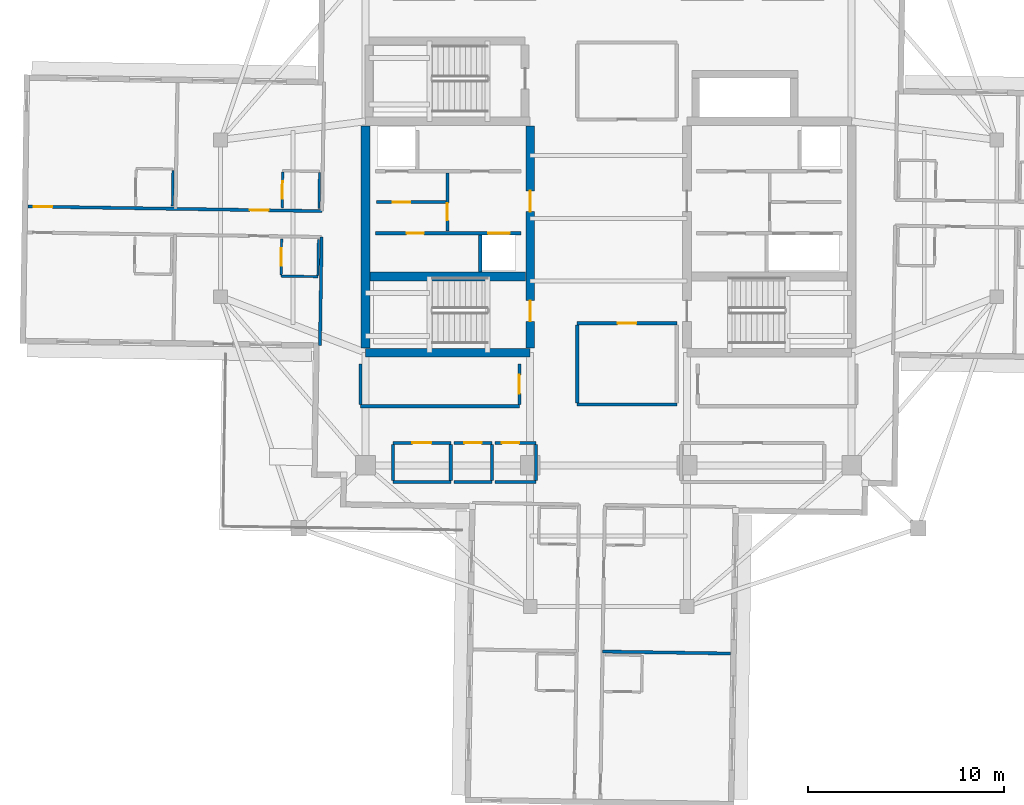
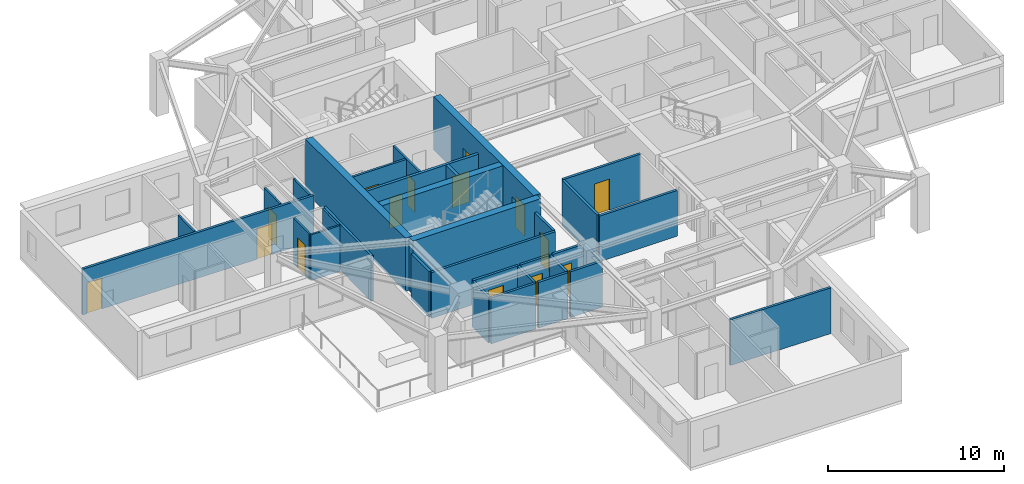
# One storey, part 4 of 12: 33 walls, 15 doors, 15 openings.
"""IFC4 building model written with IfcOpenShell, lengths in metres."""

from ifc_helpers import new_model, si_unit, direction, frame, frame_2d, origin, place, context, subcontext, project, spatial, rectangle, extrude, material, layer, layer_set, type_object, element, fill, save


model = new_model("IFC4")

# Units and contexts
model_context = context("Model", 3, precision=1e-05, world=origin(), true_north=direction((0.0, 1.0)))
body_context = subcontext(model_context, "Body", "Model", "MODEL_VIEW")
ifc_project = project(units=[si_unit("LENGTHUNIT", "METRE"), si_unit("AREAUNIT", "SQUARE_METRE"), si_unit("VOLUMEUNIT", "CUBIC_METRE"), si_unit("PLANEANGLEUNIT", "RADIAN"), si_unit("MASSUNIT", "GRAM", prefix="KILO")], contexts=[model_context])

# Site, building, storey
site_placement = place(None, origin())
site = spatial("IfcSite", under=ifc_project, at=site_placement, CompositionType="ELEMENT")
building_placement = place(site_placement, origin())
building = spatial("IfcBuilding", under=site, at=building_placement, Name="Qingluan Cross Belvedere", CompositionType="ELEMENT")
storey_placement = place(building_placement, frame((0.0, 0.0, 261.60009765625)))
storey = spatial("IfcBuildingStorey", under=building, at=storey_placement, Name="L65", CompositionType="ELEMENT", Elevation=261.60009765625)

# Walls
ifc_material_1 = material(Name="Concrete C50", Category="concrete")
ifc_layer_1 = layer(ifc_material_1, 0.449951171875, Name="CoreShearWall_450")
ifc_layer_set_1 = layer_set([ifc_layer_1], Name="Concrete C50")
wall_type_1 = type_object("IfcWallType", Name="CoreShearWall_450", PredefinedType="SHEAR", material=ifc_layer_set_1)
wall_1_placement = place(storey_placement, frame((-12.39990234375, -6.85009765625, 0.0), z_axis=(0.0, 0.0, 1.0), x_axis=(1.0, 0.0, 0.0)))
element("IfcWall", 1, at=wall_1_placement, inside=storey, type_object=wall_type_1, Name="Split core W shear wall L65-S", PredefinedType="SHEAR", context=body_context, shape_type="SweptSolid", body=[
    extrude(rectangle(XDim=8.39990234375, YDim=0.449951171875, at=frame_2d((4.199951171875, 0.0))), origin(), (0.0, 0.0, 1.0), 3.699951171875),
])
wall_2_placement = place(storey_placement, frame((-12.39990234375, -6.6201171875, 0.0), z_axis=(0.0, 0.0, 1.0), x_axis=(0.0, 1.0, 0.0)))
element("IfcWall", 2, at=wall_2_placement, inside=storey, type_object=wall_type_1, Name="Split core W shear wall L65-W", PredefinedType="SHEAR", context=body_context, shape_type="SweptSolid", body=[
    extrude(rectangle(XDim=11.340087890625, YDim=0.449951171875, at=frame_2d((5.669921875, 0.0))), origin(), (0.0, 0.0, 1.0), 3.699951171875),
])

# Wall, openings, doors
wall_3_placement = place(storey_placement, frame((-4.0, -6.6201171875, 0.0), z_axis=(0.0, 0.0, 1.0), x_axis=(0.0, 1.0, 0.0)))
wall_3 = element("IfcWall", 3, at=wall_3_placement, inside=storey, type_object=wall_type_1, Name="Split core W shear wall L65-E", PredefinedType="SHEAR", context=body_context, shape_type="SweptSolid", body=[
    extrude(rectangle(XDim=11.340087890625, YDim=0.449951171875, at=frame_2d((5.669921875, 0.0))), origin(), (0.0, 0.0, 1.0), 3.699951171875),
])
opening_1_placement = place(wall_3_placement, frame((1.3701171875, 0.0, 0.0)))
opening_1 = element("IfcOpeningElement", 4, at=opening_1_placement, cuts=wall_3, Name="Opening FD-B11", PredefinedType="OPENING", context=body_context, shape_type="SweptSolid", body=[
    extrude(rectangle(XDim=1.050048828125, YDim=2.14990234375, at=frame_2d((0.52490234375, 1.074951171875))), frame((0.0, 0.23486328125, 0.0), z_axis=(0.0, -1.0, 0.0), x_axis=(1.0, 0.0, 0.0)), (0.0, 0.0, 1.0), 0.469970703125),
])
opening_2_placement = place(wall_3_placement, frame((6.969970703125, 0.0, 0.0)))
opening_2 = element("IfcOpeningElement", 5, at=opening_2_placement, cuts=wall_3, Name="Opening FD-B11", PredefinedType="OPENING", context=body_context, shape_type="SweptSolid", body=[
    extrude(rectangle(XDim=1.050048828125, YDim=2.14990234375, at=frame_2d((0.52490234375, 1.074951171875))), frame((0.0, 0.23486328125, 0.0), z_axis=(0.0, -1.0, 0.0), x_axis=(1.0, 0.0, 0.0)), (0.0, 0.0, 1.0), 0.469970703125),
])
ifc_material_2 = material(Name="Steel Class B smoke-seal fire door", Category="steel")
door_type_1 = type_object("IfcDoorType", Name="StairLobbyFireDoor_FDB", OperationType="NOTDEFINED", PredefinedType="DOOR", material=ifc_material_2)
door_1_placement = place(opening_1_placement, origin())
door_1 = element("IfcDoor", 6, at=door_1_placement, inside=storey, type_object=door_type_1, Name="Smoke-proof stair ST1 fire door L65", OperationType="SINGLE_SWING_LEFT", OverallHeight=2.14990234375, OverallWidth=1.050048828125, PredefinedType="DOOR", context=body_context, shape_type="SweptSolid", body=[
    extrude(rectangle(XDim=1.050048828125, YDim=2.14990234375, at=frame_2d((0.52490234375, 1.074951171875))), frame((0.0, 0.02490234375, 0.0), z_axis=(0.0, -1.0, 0.0), x_axis=(1.0, 0.0, 0.0)), (0.0, 0.0, 1.0), 0.050048828125),
])
fill(opening_1, door_1)
door_2_placement = place(opening_2_placement, origin())
door_2 = element("IfcDoor", 7, at=door_2_placement, inside=storey, type_object=door_type_1, Name="Firefighting lobby West fire door L65", OperationType="SINGLE_SWING_LEFT", OverallHeight=2.14990234375, OverallWidth=1.050048828125, PredefinedType="DOOR", context=body_context, shape_type="SweptSolid", body=[
    extrude(rectangle(XDim=1.050048828125, YDim=2.14990234375, at=frame_2d((0.52490234375, 1.074951171875))), frame((0.0, 0.02490234375, 0.0), z_axis=(0.0, -1.0, 0.0), x_axis=(1.0, 0.0, 0.0)), (0.0, 0.0, 1.0), 0.050048828125),
])
fill(opening_2, door_2)

# Wall
wall_4_placement = place(storey_placement, frame((-12.169921875, -2.9599609375, 0.0), z_axis=(0.0, 0.0, 1.0), x_axis=(1.0, 0.0, 0.0)))
element("IfcWall", 8, at=wall_4_placement, inside=storey, type_object=wall_type_1, Name="Split core W shear wall L65-M", PredefinedType="SHEAR", context=body_context, shape_type="SweptSolid", body=[
    extrude(rectangle(XDim=7.93994140625, YDim=0.449951171875, at=frame_2d((3.969970703125, 0.0))), origin(), (0.0, 0.0, 1.0), 3.699951171875),
])

# Wall, opening, door
ifc_material_3 = material(Name="Gypsum plasterboard on steel stud acoustic partition", Category="steel")
ifc_layer_2 = layer(ifc_material_3, 0.159912109375, Name="CorridorPartition_160")
ifc_layer_set_2 = layer_set([ifc_layer_2], Name="Gypsum plasterboard on steel stud acoustic partition")
wall_type_2 = type_object("IfcWallType", Name="CorridorPartition_160", PredefinedType="PARTITIONING", material=ifc_layer_set_2)
wall_5_placement = place(storey_placement, frame((-11.85009765625, 0.830078125, 0.0), z_axis=(0.0, 0.0, 1.0), x_axis=(1.0, 0.0, 0.0)))
wall_5 = element("IfcWall", 9, at=wall_5_placement, inside=storey, type_object=wall_type_2, Name="Partition L65:w", PredefinedType="PARTITIONING", context=body_context, shape_type="SweptSolid", body=[
    extrude(rectangle(XDim=3.552001953125, YDim=0.139892578125, at=frame_2d((1.77587890625, 0.0))), origin(), (0.0, 0.0, 1.0), 3.169921875),
])
opening_3_placement = place(wall_5_placement, frame((0.85009765625, 0.0, 0.0)))
opening_3 = element("IfcOpeningElement", 10, at=opening_3_placement, cuts=wall_5, Name="Opening FD-B10", PredefinedType="OPENING", context=body_context, shape_type="SweptSolid", body=[
    extrude(rectangle(XDim=0.8798828125, YDim=2.10009765625, at=frame_2d((0.43994140625, 1.050048828125))), frame((0.0, 0.079833984375, 0.0), z_axis=(0.0, -1.0, 0.0), x_axis=(1.0, 0.0, 0.0)), (0.0, 0.0, 1.0), 0.159912109375),
])
ifc_material_4 = material(Name="Steel Class B service fire door", Category="steel")
door_type_2 = type_object("IfcDoorType", Name="RiserServiceFireDoor_FDB", OperationType="NOTDEFINED", PredefinedType="DOOR", material=ifc_material_4)
door_3_placement = place(opening_3_placement, origin())
door_3 = element("IfcDoor", 11, at=door_3_placement, inside=storey, type_object=door_type_2, Name="Service closet inner door L65", OperationType="SINGLE_SWING_RIGHT", OverallHeight=2.10009765625, OverallWidth=0.8798828125, PredefinedType="DOOR", context=body_context, shape_type="SweptSolid", body=[
    extrude(rectangle(XDim=0.8798828125, YDim=2.10009765625, at=frame_2d((0.43994140625, 1.050048828125))), frame((0.0, 0.02490234375, 0.0), z_axis=(0.0, -1.0, 0.0), x_axis=(1.0, 0.0, 0.0)), (0.0, 0.0, 1.0), 0.050048828125),
])
fill(opening_3, door_3)

# Wall
wall_6_placement = place(storey_placement, frame((-11.0, -13.449951171875, 0.0), z_axis=(0.0, 0.0, 1.0), x_axis=(1.0, 0.0, 0.0)))
element("IfcWall", 12, at=wall_6_placement, inside=storey, type_object=wall_type_2, Name="Partition L65:q_sw_occ:S", PredefinedType="PARTITIONING", context=body_context, shape_type="SweptSolid", body=[
    extrude(rectangle(XDim=2.949951171875, YDim=0.159912109375, at=frame_2d((1.47509765625, 0.0))), origin(), (0.0, 0.0, 1.0), 3.169921875),
])

# Wall, opening, door
wall_7_placement = place(storey_placement, frame((-11.0, -11.449951171875, 0.0), z_axis=(0.0, 0.0, 1.0), x_axis=(1.0, 0.0, 0.0)))
wall_7 = element("IfcWall", 13, at=wall_7_placement, inside=storey, type_object=wall_type_2, Name="Partition L65:q_sw_occ:N", PredefinedType="PARTITIONING", context=body_context, shape_type="SweptSolid", body=[
    extrude(rectangle(XDim=2.949951171875, YDim=0.159912109375, at=frame_2d((1.47509765625, 0.0))), origin(), (0.0, 0.0, 1.0), 3.169921875),
])
opening_4_placement = place(wall_7_placement, frame((0.9951171875, 0.0, 0.0)))
opening_4 = element("IfcOpeningElement", 14, at=opening_4_placement, cuts=wall_7, Name="Opening GD-10", PredefinedType="OPENING", context=body_context, shape_type="SweptSolid", body=[
    extrude(rectangle(XDim=0.9599609375, YDim=2.14990234375, at=frame_2d((0.47998046875, 1.074951171875))), frame((0.0, 0.08984375, 0.0), z_axis=(0.0, -1.0, 0.0), x_axis=(1.0, 0.0, 0.0)), (0.0, 0.0, 1.0), 0.179931640625),
])
ifc_material_5 = material(Name="Timber oak fire-rated acoustic guestroom door", Category="wood")
door_type_3 = type_object("IfcDoorType", Name="GuestEntryDoor_FD60", OperationType="NOTDEFINED", PredefinedType="DOOR", material=ifc_material_5)
door_4_placement = place(opening_4_placement, origin())
door_4 = element("IfcDoor", 15, at=door_4_placement, inside=storey, type_object=door_type_3, Name="Wellness recovery room L65 door", OperationType="SINGLE_SWING_LEFT", OverallHeight=2.14990234375, OverallWidth=0.9599609375, PredefinedType="DOOR", context=body_context, shape_type="SweptSolid", body=[
    extrude(rectangle(XDim=0.9599609375, YDim=2.14990234375, at=frame_2d((0.47998046875, 1.074951171875))), frame((0.0, 0.02490234375, 0.0), z_axis=(0.0, -1.0, 0.0), x_axis=(1.0, 0.0, 0.0)), (0.0, 0.0, 1.0), 0.050048828125),
])
fill(opening_4, door_4)

# Walls
for number, where, z_axis, x_axis, name in (
    (16, (-11.0, -13.364990234375, 0.0), (0.0, 0.0, 1.0), (0.0, 1.0, 0.0), "Partition L65:q_sw_occ:W"),
    (17, (-8.050048828125, -13.364990234375, 0.0), (0.0, 0.0, 1.0), (0.0, 1.0, 0.0), "Partition L65:q_sw_occ:E"),
):
    element("IfcWall", number, at=place(storey_placement, frame(where, z_axis=z_axis, x_axis=x_axis)), inside=storey, type_object=wall_type_2, Name=name, PredefinedType="PARTITIONING", context=body_context, shape_type="SweptSolid", body=[
        extrude(rectangle(XDim=1.830078125, YDim=0.159912109375, at=frame_2d((0.9150390625, 0.0))), origin(), (0.0, 0.0, 1.0), 3.169921875),
    ])
wall_8_placement = place(storey_placement, frame((-7.889892578125, -13.449951171875, 0.0), z_axis=(0.0, 0.0, 1.0), x_axis=(1.0, 0.0, 0.0)))
element("IfcWall", 18, at=wall_8_placement, inside=storey, type_object=wall_type_2, Name="Partition L65:hk_linen:S", PredefinedType="PARTITIONING", context=body_context, shape_type="SweptSolid", body=[
    extrude(rectangle(XDim=1.93994140625, YDim=0.159912109375, at=frame_2d((0.969970703125, 0.0))), origin(), (0.0, 0.0, 1.0), 3.169921875),
])

# Wall, opening, door
wall_9_placement = place(storey_placement, frame((-7.889892578125, -11.449951171875, 0.0), z_axis=(0.0, 0.0, 1.0), x_axis=(1.0, 0.0, 0.0)))
wall_9 = element("IfcWall", 19, at=wall_9_placement, inside=storey, type_object=wall_type_2, Name="Partition L65:hk_linen:N", PredefinedType="PARTITIONING", context=body_context, shape_type="SweptSolid", body=[
    extrude(rectangle(XDim=1.93994140625, YDim=0.159912109375, at=frame_2d((0.969970703125, 0.0))), origin(), (0.0, 0.0, 1.0), 3.169921875),
])
opening_5_placement = place(wall_9_placement, frame((0.530029296875, 0.0, 0.0)))
opening_5 = element("IfcOpeningElement", 20, at=opening_5_placement, cuts=wall_9, Name="Opening FD-B10", PredefinedType="OPENING", context=body_context, shape_type="SweptSolid", body=[
    extrude(rectangle(XDim=0.8798828125, YDim=2.10009765625, at=frame_2d((0.43994140625, 1.050048828125))), frame((0.0, 0.08984375, 0.0), z_axis=(0.0, -1.0, 0.0), x_axis=(1.0, 0.0, 0.0)), (0.0, 0.0, 1.0), 0.179931640625),
])
door_5_placement = place(opening_5_placement, origin())
door_5 = element("IfcDoor", 21, at=door_5_placement, inside=storey, type_object=door_type_2, Name="Housekeeping and linen store L65 door", OperationType="SINGLE_SWING_RIGHT", OverallHeight=2.10009765625, OverallWidth=0.8798828125, PredefinedType="DOOR", context=body_context, shape_type="SweptSolid", body=[
    extrude(rectangle(XDim=0.8798828125, YDim=2.10009765625, at=frame_2d((0.43994140625, 1.050048828125))), frame((0.0, 0.02490234375, 0.0), z_axis=(0.0, -1.0, 0.0), x_axis=(1.0, 0.0, 0.0)), (0.0, 0.0, 1.0), 0.050048828125),
])
fill(opening_5, door_5)

# Walls
wall_10_placement = place(storey_placement, frame((-5.949951171875, -13.364990234375, 0.0), z_axis=(0.0, 0.0, 1.0), x_axis=(0.0, 1.0, 0.0)))
element("IfcWall", 22, at=wall_10_placement, inside=storey, type_object=wall_type_2, Name="Partition L65:hk_linen:E", PredefinedType="PARTITIONING", context=body_context, shape_type="SweptSolid", body=[
    extrude(rectangle(XDim=1.830078125, YDim=0.159912109375, at=frame_2d((0.9150390625, 0.0))), origin(), (0.0, 0.0, 1.0), 3.169921875),
])
wall_11_placement = place(storey_placement, frame((-5.7900390625, -13.449951171875, 0.0), z_axis=(0.0, 0.0, 1.0), x_axis=(1.0, 0.0, 0.0)))
element("IfcWall", 23, at=wall_11_placement, inside=storey, type_object=wall_type_2, Name="Partition L65:floor_acc_wc:S", PredefinedType="PARTITIONING", context=body_context, shape_type="SweptSolid", body=[
    extrude(rectangle(XDim=2.090087890625, YDim=0.159912109375, at=frame_2d((1.044921875, 0.0))), origin(), (0.0, 0.0, 1.0), 3.169921875),
])

# Wall, opening, door
wall_12_placement = place(storey_placement, frame((-5.7900390625, -11.449951171875, 0.0), z_axis=(0.0, 0.0, 1.0), x_axis=(1.0, 0.0, 0.0)))
wall_12 = element("IfcWall", 24, at=wall_12_placement, inside=storey, type_object=wall_type_2, Name="Partition L65:floor_acc_wc:N", PredefinedType="PARTITIONING", context=body_context, shape_type="SweptSolid", body=[
    extrude(rectangle(XDim=2.090087890625, YDim=0.159912109375, at=frame_2d((1.044921875, 0.0))), origin(), (0.0, 0.0, 1.0), 3.169921875),
])
opening_6_placement = place(wall_12_placement, frame((0.35009765625, 0.0, 0.0)))
opening_6 = element("IfcOpeningElement", 25, at=opening_6_placement, cuts=wall_12, Name="Opening BD-08", PredefinedType="OPENING", context=body_context, shape_type="SweptSolid", body=[
    extrude(rectangle(XDim=0.8798828125, YDim=2.14990234375, at=frame_2d((0.43994140625, 1.074951171875))), frame((0.0, 0.08984375, 0.0), z_axis=(0.0, -1.0, 0.0), x_axis=(1.0, 0.0, 0.0)), (0.0, 0.0, 1.0), 0.179931640625),
])
ifc_material_6 = material(Name="Moisture-sealed timber accessible WC door", Category="wood")
door_type_4 = type_object("IfcDoorType", Name="AccessibleWCDoor_880", OperationType="NOTDEFINED", PredefinedType="DOOR", material=ifc_material_6)
door_6_placement = place(opening_6_placement, origin())
door_6 = element("IfcDoor", 26, at=door_6_placement, inside=storey, type_object=door_type_4, Name="Accessible guest washroom L65 door", OperationType="SINGLE_SWING_LEFT", OverallHeight=2.14990234375, OverallWidth=0.8798828125, PredefinedType="DOOR", context=body_context, shape_type="SweptSolid", body=[
    extrude(rectangle(XDim=0.8798828125, YDim=2.14990234375, at=frame_2d((0.43994140625, 1.074951171875))), frame((0.0, 0.02490234375, 0.0), z_axis=(0.0, -1.0, 0.0), x_axis=(1.0, 0.0, 0.0)), (0.0, 0.0, 1.0), 0.050048828125),
])
fill(opening_6, door_6)

# Walls
wall_13_placement = place(storey_placement, frame((-3.699951171875, -13.364990234375, 0.0), z_axis=(0.0, 0.0, 1.0), x_axis=(0.0, 1.0, 0.0)))
element("IfcWall", 27, at=wall_13_placement, inside=storey, type_object=wall_type_2, Name="Partition L65:floor_acc_wc:E", PredefinedType="PARTITIONING", context=body_context, shape_type="SweptSolid", body=[
    extrude(rectangle(XDim=1.830078125, YDim=0.159912109375, at=frame_2d((0.9150390625, 0.0))), origin(), (0.0, 0.0, 1.0), 3.169921875),
])
wall_14_placement = place(storey_placement, frame((-1.60009765625, -9.5, 0.0), z_axis=(0.0, 0.0, 1.0), x_axis=(1.0, 0.0, 0.0)))
element("IfcWall", 28, at=wall_14_placement, inside=storey, type_object=wall_type_2, Name="Partition L65:sky_south_alcove:S", PredefinedType="PARTITIONING", context=body_context, shape_type="SweptSolid", body=[
    extrude(rectangle(XDim=5.080078125, YDim=0.159912109375, at=frame_2d((2.5400390625, 0.0))), origin(), (0.0, 0.0, 1.0), 3.169921875),
])

# Wall, opening, door
wall_15_placement = place(storey_placement, frame((-1.60009765625, -5.35009765625, 0.0), z_axis=(0.0, 0.0, 1.0), x_axis=(1.0, 0.0, 0.0)))
wall_15 = element("IfcWall", 29, at=wall_15_placement, inside=storey, type_object=wall_type_2, Name="Partition L65:sky_south_alcove:N", PredefinedType="PARTITIONING", context=body_context, shape_type="SweptSolid", body=[
    extrude(rectangle(XDim=5.080078125, YDim=0.159912109375, at=frame_2d((2.5400390625, 0.0))), origin(), (0.0, 0.0, 1.0), 3.169921875),
])
opening_7_placement = place(wall_15_placement, frame((2.06005859375, 0.0, 0.0)))
opening_7 = element("IfcOpeningElement", 30, at=opening_7_placement, cuts=wall_15, Name="Opening GD-10", PredefinedType="OPENING", context=body_context, shape_type="SweptSolid", body=[
    extrude(rectangle(XDim=0.9599609375, YDim=2.14990234375, at=frame_2d((0.47998046875, 1.074951171875))), frame((0.0, 0.08984375, 0.0), z_axis=(0.0, -1.0, 0.0), x_axis=(1.0, 0.0, 0.0)), (0.0, 0.0, 1.0), 0.179931640625),
])
door_7_placement = place(opening_7_placement, origin())
door_7 = element("IfcDoor", 31, at=door_7_placement, inside=storey, type_object=door_type_3, Name="South horizon reading alcove L65 door", OperationType="SINGLE_SWING_LEFT", OverallHeight=2.14990234375, OverallWidth=0.9599609375, PredefinedType="DOOR", context=body_context, shape_type="SweptSolid", body=[
    extrude(rectangle(XDim=0.9599609375, YDim=2.14990234375, at=frame_2d((0.47998046875, 1.074951171875))), frame((0.0, 0.02490234375, 0.0), z_axis=(0.0, -1.0, 0.0), x_axis=(1.0, 0.0, 0.0)), (0.0, 0.0, 1.0), 0.050048828125),
])
fill(opening_7, door_7)

# Walls
wall_16_placement = place(storey_placement, frame((-1.60009765625, -9.4150390625, 0.0), z_axis=(0.0, 0.0, 1.0), x_axis=(0.0, 1.0, 0.0)))
element("IfcWall", 32, at=wall_16_placement, inside=storey, type_object=wall_type_2, Name="Partition L65:sky_south_alcove:W", PredefinedType="PARTITIONING", context=body_context, shape_type="SweptSolid", body=[
    extrude(rectangle(XDim=3.97998046875, YDim=0.159912109375, at=frame_2d((1.989990234375, 0.0))), origin(), (0.0, 0.0, 1.0), 3.169921875),
])
wall_17_placement = place(storey_placement, frame((-12.64990234375, -9.580078125, 0.0), z_axis=(0.0, 0.0, 1.0), x_axis=(1.0, 0.0, 0.0)))
element("IfcWall", 33, at=wall_17_placement, inside=storey, type_object=wall_type_2, Name="Partition L65:rec_st4_w:S", PredefinedType="PARTITIONING", context=body_context, shape_type="SweptSolid", body=[
    extrude(rectangle(XDim=8.099853515625, YDim=0.159912109375, at=frame_2d((4.0498046875, 0.0))), origin(), (0.0, 0.0, 1.0), 3.169921875),
])
wall_18_placement = place(storey_placement, frame((-12.64990234375, -9.4951171875, 0.0), z_axis=(0.0, 0.0, 1.0), x_axis=(0.0, 1.0, 0.0)))
element("IfcWall", 34, at=wall_18_placement, inside=storey, type_object=wall_type_2, Name="Partition L65:rec_st4_w:W", PredefinedType="PARTITIONING", context=body_context, shape_type="SweptSolid", body=[
    extrude(rectangle(XDim=2.06005859375, YDim=0.159912109375, at=frame_2d((1.030029296875, 0.0))), origin(), (0.0, 0.0, 1.0), 3.169921875),
])

# Wall, opening, door
wall_19_placement = place(storey_placement, frame((-4.550048828125, -9.4951171875, 0.0), z_axis=(0.0, 0.0, 1.0), x_axis=(0.0, 1.0, 0.0)))
wall_19 = element("IfcWall", 35, at=wall_19_placement, inside=storey, type_object=wall_type_2, Name="Partition L65:rec_st4_w:E", PredefinedType="PARTITIONING", context=body_context, shape_type="SweptSolid", body=[
    extrude(rectangle(XDim=2.06005859375, YDim=0.159912109375, at=frame_2d((1.030029296875, 0.0))), origin(), (0.0, 0.0, 1.0), 3.169921875),
])
opening_8_placement = place(wall_19_placement, frame((0.550048828125, 0.0, 0.0)))
opening_8 = element("IfcOpeningElement", 36, at=opening_8_placement, cuts=wall_19, Name="Opening GD-10", PredefinedType="OPENING", context=body_context, shape_type="SweptSolid", body=[
    extrude(rectangle(XDim=0.9599609375, YDim=2.14990234375, at=frame_2d((0.47998046875, 1.074951171875))), frame((0.0, 0.08984375, 0.0), z_axis=(0.0, -1.0, 0.0), x_axis=(1.0, 0.0, 0.0)), (0.0, 0.0, 1.0), 0.179931640625),
])
door_8_placement = place(opening_8_placement, origin())
door_8 = element("IfcDoor", 37, at=door_8_placement, inside=storey, type_object=door_type_3, Name="Southwest club reading room L65 door", OperationType="SINGLE_SWING_LEFT", OverallHeight=2.14990234375, OverallWidth=0.9599609375, PredefinedType="DOOR", context=body_context, shape_type="SweptSolid", body=[
    extrude(rectangle(XDim=0.9599609375, YDim=2.14990234375, at=frame_2d((0.47998046875, 1.074951171875))), frame((0.0, 0.02490234375, 0.0), z_axis=(0.0, -1.0, 0.0), x_axis=(1.0, 0.0, 0.0)), (0.0, 0.0, 1.0), 0.050048828125),
])
fill(opening_8, door_8)

# Wall, openings, doors
wall_20_placement = place(storey_placement, frame((-14.615966796875, 0.36962890625, 0.0), z_axis=(0.0, 0.0, 1.0), x_axis=(-0.999876590701, 0.015709976686, 0.0)))
wall_20 = element("IfcWall", 38, at=wall_20_placement, inside=storey, type_object=wall_type_2, Name="Partition L65:W:c0", PredefinedType="PARTITIONING", context=body_context, shape_type="SweptSolid", body=[
    extrude(rectangle(XDim=15.01220703125, YDim=0.159912109375, at=frame_2d((7.506103515625, 0.0))), origin(), (0.0, 0.0, 1.0), 3.169921875),
])
opening_9_placement = place(wall_20_placement, frame((2.72802734375, 0.0, 0.0)))
opening_9 = element("IfcOpeningElement", 39, at=opening_9_placement, cuts=wall_20, Name="Opening GD-10", PredefinedType="OPENING", context=body_context, shape_type="SweptSolid", body=[
    extrude(rectangle(XDim=0.9599609375, YDim=2.14990234375, at=frame_2d((0.47998046875, 1.074951171875))), frame((0.0, 0.08984375, 0.0), z_axis=(0.0, -1.0, 0.0), x_axis=(1.0, 0.0, 0.0)), (0.0, 0.0, 1.0), 0.179931640625),
])
opening_10_placement = place(wall_20_placement, frame((13.760009765625, 0.0, 0.0)))
opening_10 = element("IfcOpeningElement", 40, at=opening_10_placement, cuts=wall_20, Name="Opening GD-10", PredefinedType="OPENING", context=body_context, shape_type="SweptSolid", body=[
    extrude(rectangle(XDim=0.9599609375, YDim=2.14990234375, at=frame_2d((0.47998046875, 1.074951171875))), frame((0.0, 0.08984375, 0.0), z_axis=(0.0, -1.0, 0.0), x_axis=(1.0, 0.0, 0.0)), (0.0, 0.0, 1.0), 0.179931640625),
])
door_9_placement = place(opening_9_placement, origin())
door_9 = element("IfcDoor", 41, at=door_9_placement, inside=storey, type_object=door_type_3, Name="Guest entry fire door 6505", OperationType="SINGLE_SWING_RIGHT", OverallHeight=2.14990234375, OverallWidth=0.9599609375, PredefinedType="DOOR", context=body_context, shape_type="SweptSolid", body=[
    extrude(rectangle(XDim=0.9599609375, YDim=2.14990234375, at=frame_2d((0.47998046875, 1.074951171875))), frame((0.0, 0.02490234375, 0.0), z_axis=(0.0, -1.0, 0.0), x_axis=(1.0, 0.0, 0.0)), (0.0, 0.0, 1.0), 0.050048828125),
])
fill(opening_9, door_9)
door_10_placement = place(opening_10_placement, origin())
door_10 = element("IfcDoor", 42, at=door_10_placement, inside=storey, type_object=door_type_3, Name="Guest entry fire door 6506", OperationType="SINGLE_SWING_RIGHT", OverallHeight=2.14990234375, OverallWidth=0.9599609375, PredefinedType="DOOR", context=body_context, shape_type="SweptSolid", body=[
    extrude(rectangle(XDim=0.9599609375, YDim=2.14990234375, at=frame_2d((0.47998046875, 1.074951171875))), frame((0.0, 0.02490234375, 0.0), z_axis=(0.0, -1.0, 0.0), x_axis=(1.0, 0.0, 0.0)), (0.0, 0.0, 1.0), 0.050048828125),
])
fill(opening_10, door_10)

# Walls
wall_21_placement = place(storey_placement, frame((-14.63671875, -0.9501953125, 0.0), z_axis=(0.0, 0.0, 1.0), x_axis=(-0.015688491621, -0.999876928042, 0.0)))
element("IfcWall", 43, at=wall_21_placement, inside=storey, type_object=wall_type_2, Name="Partition L65:W:s1", PredefinedType="PARTITIONING", context=body_context, shape_type="SweptSolid", body=[
    extrude(rectangle(XDim=5.5400390625, YDim=0.159912109375, at=frame_2d((2.77001953125, 0.0))), origin(), (0.0, 0.0, 1.0), 3.169921875),
])
wall_22_placement = place(storey_placement, frame((-0.30712890625, -22.094970703125, 0.0), z_axis=(0.0, 0.0, 1.0), x_axis=(0.999876781534, -0.015697826265, 0.0)))
element("IfcWall", 44, at=wall_22_placement, inside=storey, type_object=wall_type_2, Name="Partition L65:S:d0_0", PredefinedType="PARTITIONING", context=body_context, shape_type="SweptSolid", body=[
    extrude(rectangle(XDim=6.531982421875, YDim=0.159912109375, at=frame_2d((3.26611328125, 0.0))), origin(), (0.0, 0.0, 1.0), 3.169921875),
])

# Wall, opening, door
ifc_material_7 = material(Name="Moisture-resistant gypsum board lining")
ifc_layer_3 = layer(ifc_material_7, 0.1201171875, Name="EnsuiteWetPartition_120")
ifc_layer_set_3 = layer_set([ifc_layer_3], Name="Moisture-resistant gypsum board lining")
wall_type_3 = type_object("IfcWallType", Name="EnsuiteWetPartition_120", PredefinedType="PARTITIONING", material=ifc_layer_set_3)
wall_23_placement = place(storey_placement, frame((-16.653564453125, 0.54150390625, 0.0), z_axis=(0.0, 0.0, 1.0), x_axis=(0.015694337248, 0.999876836305, 0.0)))
wall_23 = element("IfcWall", 45, at=wall_23_placement, inside=storey, type_object=wall_type_3, Name="Partition L65:W:bs0_0", PredefinedType="PARTITIONING", context=body_context, shape_type="SweptSolid", body=[
    extrude(rectangle(XDim=1.820068359375, YDim=0.1201171875, at=frame_2d((0.91015625, 0.0))), origin(), (0.0, 0.0, 1.0), 3.169921875),
])
opening_11_placement = place(wall_23_placement, frame((0.469970703125, 0.0, 0.0)))
opening_11 = element("IfcOpeningElement", 46, at=opening_11_placement, cuts=wall_23, Name="Opening BD-09", PredefinedType="OPENING", context=body_context, shape_type="SweptSolid", body=[
    extrude(rectangle(XDim=0.8798828125, YDim=2.10009765625, at=frame_2d((0.43994140625, 1.050048828125))), frame((0.0, 0.070068359375, 0.0), z_axis=(0.0, -1.0, 0.0), x_axis=(1.0, 0.0, 0.0)), (0.0, 0.0, 1.0), 0.14013671875),
])
ifc_material_8 = material(Name="Moisture-sealed timber en-suite door", Category="wood")
door_type_5 = type_object("IfcDoorType", Name="BathroomDoor_880", OperationType="NOTDEFINED", PredefinedType="DOOR", material=ifc_material_8)
door_11_placement = place(opening_11_placement, origin())
door_11 = element("IfcDoor", 47, at=door_11_placement, inside=storey, type_object=door_type_5, Name="Bathroom door 6505", OperationType="SINGLE_SWING_LEFT", OverallHeight=2.10009765625, OverallWidth=0.8798828125, PredefinedType="DOOR", context=body_context, shape_type="SweptSolid", body=[
    extrude(rectangle(XDim=0.8798828125, YDim=2.10009765625, at=frame_2d((0.43994140625, 1.050048828125))), frame((0.0, 0.02490234375, 0.0), z_axis=(0.0, -1.0, 0.0), x_axis=(1.0, 0.0, 0.0)), (0.0, 0.0, 1.0), 0.050048828125),
])
fill(opening_11, door_11)

# Walls
for number, where, z_axis, x_axis, name in (
    (48, (-14.773681640625, 0.51220703125, 0.0), (0.0, 0.0, 1.0), (0.015696442504, 0.999876803258, 0.0), "Partition L65:W:bw0_0"),
    (49, (-22.25, 0.629638671875, 0.0), (0.0, 0.0, 1.0), (0.015830566654, 0.999874688728, 0.0), "Partition L65:W:bw0_1"),
):
    element("IfcWall", number, at=place(storey_placement, frame(where, z_axis=z_axis, x_axis=x_axis)), inside=storey, type_object=wall_type_3, Name=name, PredefinedType="PARTITIONING", context=body_context, shape_type="SweptSolid", body=[
        extrude(rectangle(XDim=1.81982421875, YDim=0.1201171875, at=frame_2d((0.909912109375, 0.0))), origin(), (0.0, 0.0, 1.0), 3.169921875),
    ])

# Wall, opening, door
wall_24_placement = place(storey_placement, frame((-16.707275390625, -2.8779296875, 0.0), z_axis=(0.0, 0.0, 1.0), x_axis=(0.015694337248, 0.999876836305, 0.0)))
wall_24 = element("IfcWall", 50, at=wall_24_placement, inside=storey, type_object=wall_type_3, Name="Partition L65:W:bs1_0", PredefinedType="PARTITIONING", context=body_context, shape_type="SweptSolid", body=[
    extrude(rectangle(XDim=1.820068359375, YDim=0.1201171875, at=frame_2d((0.91015625, 0.0))), origin(), (0.0, 0.0, 1.0), 3.169921875),
])
opening_12_placement = place(wall_24_placement, frame((0.469970703125, 0.0, 0.0)))
opening_12 = element("IfcOpeningElement", 51, at=opening_12_placement, cuts=wall_24, Name="Opening BD-09", PredefinedType="OPENING", context=body_context, shape_type="SweptSolid", body=[
    extrude(rectangle(XDim=0.8798828125, YDim=2.10009765625, at=frame_2d((0.43994140625, 1.050048828125))), frame((0.0, 0.070068359375, 0.0), z_axis=(0.0, -1.0, 0.0), x_axis=(1.0, 0.0, 0.0)), (0.0, 0.0, 1.0), 0.14013671875),
])
door_12_placement = place(opening_12_placement, origin())
door_12 = element("IfcDoor", 52, at=door_12_placement, inside=storey, type_object=door_type_5, Name="Bathroom door 6507", OperationType="SINGLE_SWING_LEFT", OverallHeight=2.10009765625, OverallWidth=0.8798828125, PredefinedType="DOOR", context=body_context, shape_type="SweptSolid", body=[
    extrude(rectangle(XDim=0.8798828125, YDim=2.10009765625, at=frame_2d((0.43994140625, 1.050048828125))), frame((0.0, 0.02490234375, 0.0), z_axis=(0.0, -1.0, 0.0), x_axis=(1.0, 0.0, 0.0)), (0.0, 0.0, 1.0), 0.050048828125),
])
fill(opening_12, door_12)

# Walls
wall_25_placement = place(storey_placement, frame((-14.827392578125, -2.907470703125, 0.0), z_axis=(0.0, 0.0, 1.0), x_axis=(0.015694337248, 0.999876836305, 0.0)))
element("IfcWall", 53, at=wall_25_placement, inside=storey, type_object=wall_type_3, Name="Partition L65:W:bw1_0", PredefinedType="PARTITIONING", context=body_context, shape_type="SweptSolid", body=[
    extrude(rectangle(XDim=1.820068359375, YDim=0.1201171875, at=frame_2d((0.91015625, 0.0))), origin(), (0.0, 0.0, 1.0), 3.169921875),
])
wall_26_placement = place(storey_placement, frame((-14.82861328125, -2.972412109375, 0.0), z_axis=(0.0, 0.0, 1.0), x_axis=(-0.99987652141, 0.015714386166, 0.0)))
element("IfcWall", 54, at=wall_26_placement, inside=storey, type_object=wall_type_3, Name="Partition L65:W:bc1_0", PredefinedType="PARTITIONING", context=body_context, shape_type="SweptSolid", body=[
    extrude(rectangle(XDim=1.8798828125, YDim=0.1201171875, at=frame_2d((0.93994140625, 0.0))), origin(), (0.0, 0.0, 1.0), 3.169921875),
])

# Wall, openings, doors
ifc_material_9 = material(Name="Concrete C40", Category="concrete")
ifc_layer_4 = layer(ifc_material_9, 0.219970703125, Name="ShaftEnclosureWall_250")
ifc_layer_set_4 = layer_set([ifc_layer_4], Name="Concrete C40")
wall_type_4 = type_object("IfcWallType", Name="ShaftEnclosureWall_250", PredefinedType="SOLIDWALL", material=ifc_layer_set_4)
wall_27_placement = place(storey_placement, frame((-11.89990234375, -0.75, 0.0), z_axis=(0.0, 0.0, 1.0), x_axis=(1.0, 0.0, 0.0)))
wall_27 = element("IfcWall", 55, at=wall_27_placement, inside=storey, type_object=wall_type_4, Name="Core-W mid hoistway wall L65", PredefinedType="SOLIDWALL", context=body_context, shape_type="SweptSolid", body=[
    extrude(rectangle(XDim=7.419921875, YDim=0.179931640625, at=frame_2d((3.7099609375, 0.0))), origin(), (0.0, 0.0, 1.0), 3.169921875),
])
opening_13_placement = place(wall_27_placement, frame((5.75, 0.0, 0.0)))
opening_13 = element("IfcOpeningElement", 56, at=opening_13_placement, cuts=wall_27, Name="Opening LD-11", PredefinedType="OPENING", context=body_context, shape_type="SweptSolid", body=[
    extrude(rectangle(XDim=1.10009765625, YDim=2.14990234375, at=frame_2d((0.550048828125, 1.074951171875))), frame((0.0, 0.099853515625, 0.0), z_axis=(0.0, -1.0, 0.0), x_axis=(1.0, 0.0, 0.0)), (0.0, 0.0, 1.0), 0.199951171875),
])
opening_14_placement = place(wall_27_placement, frame((1.60009765625, 0.0, 0.0)))
opening_14 = element("IfcOpeningElement", 57, at=opening_14_placement, cuts=wall_27, Name="Opening FD-B10", PredefinedType="OPENING", context=body_context, shape_type="SweptSolid", body=[
    extrude(rectangle(XDim=0.8798828125, YDim=2.10009765625, at=frame_2d((0.43994140625, 1.050048828125))), frame((0.0, 0.099853515625, 0.0), z_axis=(0.0, -1.0, 0.0), x_axis=(1.0, 0.0, 0.0)), (0.0, 0.0, 1.0), 0.199951171875),
])
ifc_material_10 = material(Name="Brushed stainless steel centre-opening lift landing door", Category="steel")
door_type_6 = type_object("IfcDoorType", Name="LiftLandingSlidingDoor_1100", OperationType="DOUBLE_DOOR_SLIDING", PredefinedType="DOOR", material=ifc_material_10)
door_13_placement = place(opening_13_placement, origin())
door_13 = element("IfcDoor", 58, at=door_13_placement, inside=storey, type_object=door_type_6, Name="Lift landing sliding door LP8 L65", OperationType="DOUBLE_DOOR_SLIDING", OverallHeight=2.14990234375, OverallWidth=1.10009765625, PredefinedType="DOOR", context=body_context, shape_type="SweptSolid", body=[
    extrude(rectangle(XDim=1.10009765625, YDim=2.14990234375, at=frame_2d((0.550048828125, 1.074951171875))), frame((0.0, 0.02490234375, 0.0), z_axis=(0.0, -1.0, 0.0), x_axis=(1.0, 0.0, 0.0)), (0.0, 0.0, 1.0), 0.050048828125),
])
fill(opening_13, door_13)
door_14_placement = place(opening_14_placement, origin())
door_14 = element("IfcDoor", 59, at=door_14_placement, inside=storey, type_object=door_type_2, Name="Upper-zone electrical room door L65", OperationType="SINGLE_SWING_RIGHT", OverallHeight=2.10009765625, OverallWidth=0.8798828125, PredefinedType="DOOR", context=body_context, shape_type="SweptSolid", body=[
    extrude(rectangle(XDim=0.8798828125, YDim=2.10009765625, at=frame_2d((0.43994140625, 1.050048828125))), frame((0.0, 0.02490234375, 0.0), z_axis=(0.0, -1.0, 0.0), x_axis=(1.0, 0.0, 0.0)), (0.0, 0.0, 1.0), 0.050048828125),
])
fill(opening_14, door_14)

# Wall
wall_28_placement = place(storey_placement, frame((-6.5400390625, -2.72998046875, 0.0), z_axis=(0.0, 0.0, 1.0), x_axis=(0.0, 1.0, 0.0)))
element("IfcWall", 60, at=wall_28_placement, inside=storey, type_object=wall_type_4, Name="Hoistway enclosure divider LP8W L65", PredefinedType="SOLIDWALL", context=body_context, shape_type="SweptSolid", body=[
    extrude(rectangle(XDim=1.889892578125, YDim=0.179931640625, at=frame_2d((0.94482421875, 0.0))), origin(), (0.0, 0.0, 1.0), 3.169921875),
])

# Wall, opening, door
wall_29_placement = place(storey_placement, frame((-8.219970703125, -0.64990234375, 0.0), z_axis=(0.0, 0.0, 1.0), x_axis=(0.0, 1.0, 0.0)))
wall_29 = element("IfcWall", 61, at=wall_29_placement, inside=storey, type_object=wall_type_4, Name="Core-W service corridor wall L65", PredefinedType="SOLIDWALL", context=body_context, shape_type="SweptSolid", body=[
    extrude(rectangle(XDim=2.9599609375, YDim=0.139892578125, at=frame_2d((1.47998046875, 0.0))), origin(), (0.0, 0.0, 1.0), 3.169921875),
])
opening_15_placement = place(wall_29_placement, frame((0.550048828125, 0.0, 0.0)))
opening_15 = element("IfcOpeningElement", 62, at=opening_15_placement, cuts=wall_29, Name="Opening FD-B10", PredefinedType="OPENING", context=body_context, shape_type="SweptSolid", body=[
    extrude(rectangle(XDim=0.8798828125, YDim=2.10009765625, at=frame_2d((0.43994140625, 1.050048828125))), frame((0.0, 0.079833984375, 0.0), z_axis=(0.0, -1.0, 0.0), x_axis=(1.0, 0.0, 0.0)), (0.0, 0.0, 1.0), 0.159912109375),
])
door_15_placement = place(opening_15_placement, origin())
door_15 = element("IfcDoor", 63, at=door_15_placement, inside=storey, type_object=door_type_2, Name="Core-W service room door L65", OperationType="SINGLE_SWING_RIGHT", OverallHeight=2.10009765625, OverallWidth=0.8798828125, PredefinedType="DOOR", context=body_context, shape_type="SweptSolid", body=[
    extrude(rectangle(XDim=0.8798828125, YDim=2.10009765625, at=frame_2d((0.43994140625, 1.050048828125))), frame((0.0, 0.02490234375, 0.0), z_axis=(0.0, -1.0, 0.0), x_axis=(1.0, 0.0, 0.0)), (0.0, 0.0, 1.0), 0.050048828125),
])
fill(opening_15, door_15)

save(model, "model.ifc")
